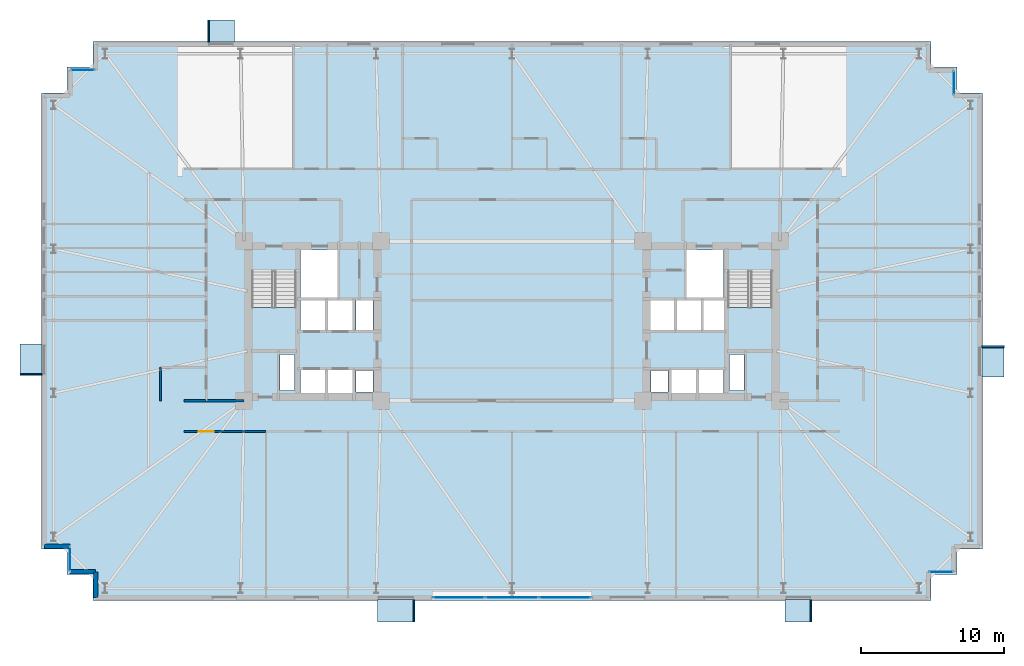
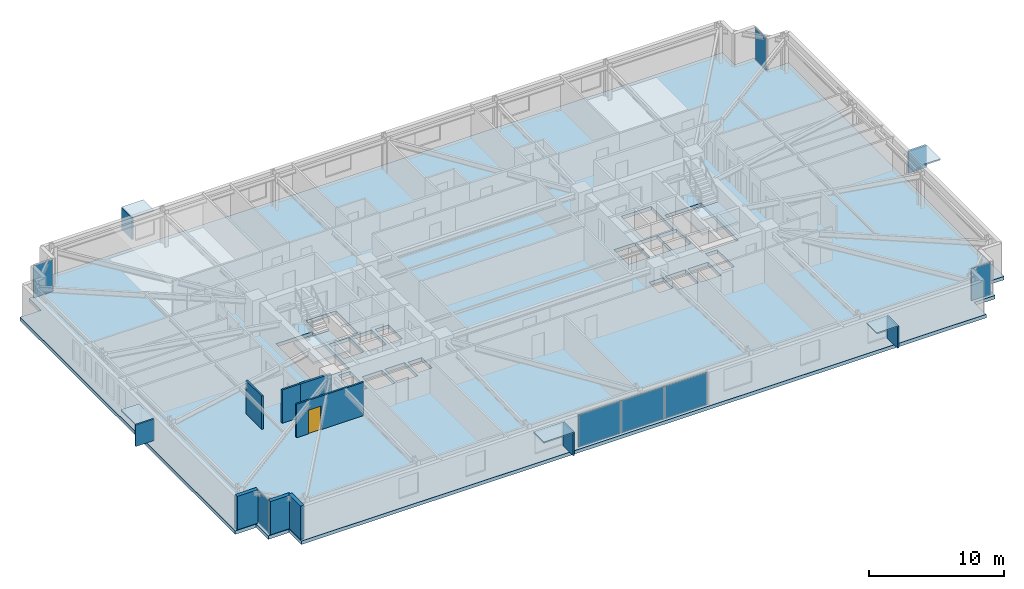
# One storey, part 17 of 26: 17 plates, 7 walls, 3 slabs, 1 door, 1 opening, 7 elements without a shape of their own.
"""IFC4 building model written with IfcOpenShell, lengths in metres."""

from ifc_helpers import new_model, si_unit, direction, frame, frame_2d, origin, origin_2d, place, context, subcontext, project, spatial, polyline, rectangle, outline, extrude, material, layer, layer_set, type_object, element, fill, aggregate, save


model = new_model("IFC4")

# Units and contexts
model_context = context("Model", 3, precision=1e-05, world=origin(), true_north=direction((0.0, 1.0)))
body_context = subcontext(model_context, "Body", "Model", "MODEL_VIEW")
ifc_project = project(units=[si_unit("LENGTHUNIT", "METRE"), si_unit("AREAUNIT", "SQUARE_METRE"), si_unit("VOLUMEUNIT", "CUBIC_METRE"), si_unit("PLANEANGLEUNIT", "RADIAN"), si_unit("MASSUNIT", "GRAM", prefix="KILO")], contexts=[model_context])

# Site, building, storey
site_placement = place(None, origin())
site = spatial("IfcSite", under=ifc_project, at=site_placement, CompositionType="ELEMENT")
building_placement = place(site_placement, origin())
building = spatial("IfcBuilding", under=site, at=building_placement, Name="Qobustan Lattice House", CompositionType="ELEMENT")
storey_placement = place(building_placement, frame((0.0, 0.0, 47.10009765625)))
storey = spatial("IfcBuildingStorey", under=building, at=storey_placement, Name="L12", CompositionType="ELEMENT", Elevation=47.10009765625)

# Curtain wall, plate
ifc_material_1 = material(Name="Anodised aluminium and low-E glazing", Category="aluminium")
ifc_layer_1 = layer(ifc_material_1, 0.219970703125)
ifc_layer_set_1 = layer_set([ifc_layer_1], Name="Anodised aluminium and low-E glazing")
curtain_wall_type_1 = type_object("IfcCurtainWallType", Name="CW-FAC-01", PredefinedType="USERDEFINED", material=ifc_layer_set_1)
curtain_wall_1_placement = place(storey_placement, origin())
curtain_wall_1 = element("IfcCurtainWall", 1, at=curtain_wall_1_placement, inside=storey, type_object=curtain_wall_type_1, Name="L12 serrated corner faceted glazing 3", ObjectType="CURTAIN WALL", PredefinedType="USERDEFINED")
ifc_material_2 = material(Name="Clear low-E laminated glass", Category="glass")
ifc_layer_2 = layer(ifc_material_2, 0.031982421875)
ifc_layer_set_2 = layer_set([ifc_layer_2], Name="Clear low-E laminated glass")
plate_type_1 = type_object("IfcPlateType", Name="CWP-VISION-32", PredefinedType="CURTAIN_PANEL", material=ifc_layer_set_2)
plate_1_placement = place(storey_placement, frame((-31.0, -16.699951171875, 0.06494140625), z_axis=(0.0, 0.0, 1.0), x_axis=(0.0, 1.0, 0.0)))
plate_1 = element("IfcPlate", 2, at=plate_1_placement, type_object=plate_type_1, Name="CW-F1 panel 1.1", PredefinedType="CURTAIN_PANEL", context=body_context, shape_type="SweptSolid", body=[
    extrude(rectangle(XDim=1.659912109375, YDim=0.031982421875, at=origin_2d()), origin(), (0.0, 0.0, 1.0), 2.905029296875),
])
aggregate(curtain_wall_1, [plate_1])

curtain_wall_2_placement = place(storey_placement, origin())
curtain_wall_2 = element("IfcCurtainWall", 3, at=curtain_wall_2_placement, inside=storey, type_object=curtain_wall_type_1, Name="L12 serrated corner faceted glazing 8", ObjectType="CURTAIN WALL", PredefinedType="USERDEFINED")
plate_2_placement = place(storey_placement, frame((-30.10009765625, 17.60009765625, 0.06494140625), z_axis=(0.0, 0.0, 1.0), x_axis=(1.0, 0.0, 0.0)))
plate_2 = element("IfcPlate", 4, at=plate_2_placement, type_object=plate_type_1, Name="CW-F1 panel 1.1", PredefinedType="CURTAIN_PANEL", context=body_context, shape_type="SweptSolid", body=[
    extrude(rectangle(XDim=1.659912109375, YDim=0.031982421875, at=origin_2d()), origin(), (0.0, 0.0, 1.0), 2.905029296875),
])
aggregate(curtain_wall_2, [plate_2])

curtain_wall_3_placement = place(storey_placement, origin())
curtain_wall_3 = element("IfcCurtainWall", 5, at=curtain_wall_3_placement, inside=storey, type_object=curtain_wall_type_1, Name="L12 serrated corner faceted glazing 13", ObjectType="CURTAIN WALL", PredefinedType="USERDEFINED")
plate_3_placement = place(storey_placement, frame((31.0, 16.699951171875, 0.06494140625), z_axis=(0.0, 0.0, 1.0), x_axis=(0.0, -1.0, 0.0)))
plate_3 = element("IfcPlate", 6, at=plate_3_placement, type_object=plate_type_1, Name="CW-F1 panel 1.1", PredefinedType="CURTAIN_PANEL", context=body_context, shape_type="SweptSolid", body=[
    extrude(rectangle(XDim=1.659912109375, YDim=0.031982421875, at=origin_2d()), origin(), (0.0, 0.0, 1.0), 2.905029296875),
])
aggregate(curtain_wall_3, [plate_3])

curtain_wall_4_placement = place(storey_placement, origin())
curtain_wall_4 = element("IfcCurtainWall", 7, at=curtain_wall_4_placement, inside=storey, type_object=curtain_wall_type_1, Name="L12 serrated corner faceted glazing 18", ObjectType="CURTAIN WALL", PredefinedType="USERDEFINED")
plate_4_placement = place(storey_placement, frame((30.10009765625, -17.60009765625, 0.06494140625), z_axis=(0.0, 0.0, 1.0), x_axis=(-1.0, 0.0, 0.0)))
plate_4 = element("IfcPlate", 8, at=plate_4_placement, type_object=plate_type_1, Name="CW-F1 panel 1.1", PredefinedType="CURTAIN_PANEL", context=body_context, shape_type="SweptSolid", body=[
    extrude(rectangle(XDim=1.659912109375, YDim=0.031982421875, at=origin_2d()), origin(), (0.0, 0.0, 1.0), 2.905029296875),
])
aggregate(curtain_wall_4, [plate_4])

# Curtain wall, plates
ifc_material_3 = material(Name="Anodised aluminium and low-E glazing", Category="aluminium")
ifc_layer_3 = layer(ifc_material_3, 0.219970703125)
ifc_layer_set_3 = layer_set([ifc_layer_3], Name="Anodised aluminium and low-E glazing")
curtain_wall_type_2 = type_object("IfcCurtainWallType", Name="CW-IWN-01", PredefinedType="USERDEFINED", material=ifc_layer_set_3)
curtain_wall_5_placement = place(storey_placement, origin())
curtain_wall_5 = element("IfcCurtainWall", 9, at=curtain_wall_5_placement, inside=storey, type_object=curtain_wall_type_2, Name="L12 IWAN-1 walnut-lined iwan curtain wall", ObjectType="CURTAIN WALL", PredefinedType="USERDEFINED")
plate_5_placement = place(storey_placement, frame((3.71337890625, -19.39990234375, 0.06494140625), z_axis=(0.0, 0.0, 1.0), x_axis=(-1.0, 0.0, 0.0)))
plate_5 = element("IfcPlate", 10, at=plate_5_placement, type_object=plate_type_1, Name="CW-IW panel 1.1", PredefinedType="CURTAIN_PANEL", context=body_context, shape_type="SweptSolid", body=[
    extrude(rectangle(XDim=3.61328125, YDim=0.031982421875, at=origin_2d()), origin(), (0.0, 0.0, 1.0), 2.905029296875),
])
plate_6_placement = place(storey_placement, frame((0.0, -19.39990234375, 0.06494140625), z_axis=(0.0, 0.0, 1.0), x_axis=(-1.0, 0.0, 0.0)))
plate_6 = element("IfcPlate", 11, at=plate_6_placement, type_object=plate_type_1, Name="CW-IW panel 2.1", PredefinedType="CURTAIN_PANEL", context=body_context, shape_type="SweptSolid", body=[
    extrude(rectangle(XDim=3.6533203125, YDim=0.031982421875, at=origin_2d()), origin(), (0.0, 0.0, 1.0), 2.905029296875),
])
plate_7_placement = place(storey_placement, frame((-3.71337890625, -19.39990234375, 0.06494140625), z_axis=(0.0, 0.0, 1.0), x_axis=(-1.0, 0.0, 0.0)))
plate_7 = element("IfcPlate", 12, at=plate_7_placement, type_object=plate_type_1, Name="CW-IW panel 3.1", PredefinedType="CURTAIN_PANEL", context=body_context, shape_type="SweptSolid", body=[
    extrude(rectangle(XDim=3.61328125, YDim=0.031982421875, at=origin_2d()), origin(), (0.0, 0.0, 1.0), 2.905029296875),
])
aggregate(curtain_wall_5, [plate_5, plate_6, plate_7])

# Plates
ifc_material_4 = material(Name="Qobustan limestone GFRC", Category="masonry")
ifc_layer_4 = layer(ifc_material_4, 0.1201171875)
ifc_layer_set_4 = layer_set([ifc_layer_4], Name="Qobustan limestone GFRC")
plate_type_2 = type_object("IfcPlateType", Name="SHD-HOOD-BROW", PredefinedType="USERDEFINED", material=ifc_layer_set_4)
plate_8_placement = place(storey_placement, frame((-33.72998046875, -2.719970703125, 2.699951171875), z_axis=(0.0, 0.0, 1.0), x_axis=(0.0, 1.0, 0.0)))
element("IfcPlate", 13, at=plate_8_placement, inside=storey, type_object=plate_type_2, Name="L12 splayed Qobustan stone hood brow", ObjectType="SUNSHADE", PredefinedType="USERDEFINED", context=body_context, shape_type="SweptSolid", body=[
    extrude(rectangle(XDim=2.18994140625, YDim=1.56005859375, at=origin_2d()), origin(), (0.0, 0.0, 1.0), 0.1201171875),
])
plate_9_placement = place(storey_placement, frame((-33.72998046875, -3.7548828125, 0.7900390625), z_axis=(0.0, 0.0, 1.0), x_axis=(0.0, 1.0, 0.0)))
element("IfcPlate", 14, at=plate_9_placement, inside=storey, type_object=plate_type_2, Name="L12 splayed Qobustan stone hood cheek", ObjectType="SUNSHADE", PredefinedType="USERDEFINED", context=body_context, shape_type="SweptSolid", body=[
    extrude(rectangle(XDim=0.1201171875, YDim=1.56005859375, at=origin_2d()), origin(), (0.0, 0.0, 1.0), 1.969970703125),
])
plate_10_placement = place(storey_placement, frame((-20.402587890625, 20.330078125, 2.699951171875), z_axis=(0.0, 0.0, 1.0), x_axis=(1.0, 0.0, 0.0)))
element("IfcPlate", 15, at=plate_10_placement, inside=storey, type_object=plate_type_2, Name="L12 splayed Qobustan stone hood brow", ObjectType="SUNSHADE", PredefinedType="USERDEFINED", context=body_context, shape_type="SweptSolid", body=[
    extrude(rectangle(XDim=1.889892578125, YDim=1.56005859375, at=origin_2d()), origin(), (0.0, 0.0, 1.0), 0.1201171875),
])
plate_11_placement = place(storey_placement, frame((-21.28759765625, 20.330078125, 0.7900390625), z_axis=(0.0, 0.0, 1.0), x_axis=(1.0, 0.0, 0.0)))
element("IfcPlate", 16, at=plate_11_placement, inside=storey, type_object=plate_type_2, Name="L12 splayed Qobustan stone hood cheek", ObjectType="SUNSHADE", PredefinedType="USERDEFINED", context=body_context, shape_type="SweptSolid", body=[
    extrude(rectangle(XDim=0.1201171875, YDim=1.56005859375, at=origin_2d()), origin(), (0.0, 0.0, 1.0), 1.969970703125),
])
plate_12_placement = place(storey_placement, frame((33.72998046875, -2.840087890625, 2.699951171875), z_axis=(0.0, 0.0, 1.0), x_axis=(0.0, -1.0, 0.0)))
element("IfcPlate", 17, at=plate_12_placement, inside=storey, type_object=plate_type_2, Name="L12 splayed Qobustan stone hood brow", ObjectType="SUNSHADE", PredefinedType="USERDEFINED", context=body_context, shape_type="SweptSolid", body=[
    extrude(rectangle(XDim=2.18994140625, YDim=1.56005859375, at=origin_2d()), origin(), (0.0, 0.0, 1.0), 0.1201171875),
])
plate_13_placement = place(storey_placement, frame((33.72998046875, -1.804931640625, 0.7900390625), z_axis=(0.0, 0.0, 1.0), x_axis=(0.0, -1.0, 0.0)))
element("IfcPlate", 18, at=plate_13_placement, inside=storey, type_object=plate_type_2, Name="L12 splayed Qobustan stone hood cheek", ObjectType="SUNSHADE", PredefinedType="USERDEFINED", context=body_context, shape_type="SweptSolid", body=[
    extrude(rectangle(XDim=0.1201171875, YDim=1.56005859375, at=origin_2d()), origin(), (0.0, 0.0, 1.0), 1.969970703125),
])
plate_14_placement = place(storey_placement, frame((20.080078125, -20.330078125, 2.699951171875), z_axis=(0.0, 0.0, 1.0), x_axis=(-1.0, 0.0, 0.0)))
element("IfcPlate", 19, at=plate_14_placement, inside=storey, type_object=plate_type_2, Name="L12 splayed Qobustan stone hood brow", ObjectType="SUNSHADE", PredefinedType="USERDEFINED", context=body_context, shape_type="SweptSolid", body=[
    extrude(rectangle(XDim=1.889892578125, YDim=1.56005859375, at=origin_2d()), origin(), (0.0, 0.0, 1.0), 0.1201171875),
])
plate_15_placement = place(storey_placement, frame((20.965087890625, -20.330078125, 0.7900390625), z_axis=(0.0, 0.0, 1.0), x_axis=(-1.0, 0.0, 0.0)))
element("IfcPlate", 20, at=plate_15_placement, inside=storey, type_object=plate_type_2, Name="L12 splayed Qobustan stone hood cheek", ObjectType="SUNSHADE", PredefinedType="USERDEFINED", context=body_context, shape_type="SweptSolid", body=[
    extrude(rectangle(XDim=0.1201171875, YDim=1.56005859375, at=origin_2d()), origin(), (0.0, 0.0, 1.0), 1.969970703125),
])
plate_16_placement = place(storey_placement, frame((-8.1298828125, -20.330078125, 2.7998046875), z_axis=(0.0, 0.0, 1.0), x_axis=(-1.0, 0.0, 0.0)))
element("IfcPlate", 21, at=plate_16_placement, inside=storey, type_object=plate_type_2, Name="L12 splayed Qobustan stone hood brow", ObjectType="SUNSHADE", PredefinedType="USERDEFINED", context=body_context, shape_type="SweptSolid", body=[
    extrude(rectangle(XDim=2.639892578125, YDim=1.56005859375, at=origin_2d()), origin(), (0.0, 0.0, 1.0), 0.1201171875),
])
plate_17_placement = place(storey_placement, frame((-6.8701171875, -20.330078125, 0.7900390625), z_axis=(0.0, 0.0, 1.0), x_axis=(-1.0, 0.0, 0.0)))
element("IfcPlate", 22, at=plate_17_placement, inside=storey, type_object=plate_type_2, Name="L12 splayed Qobustan stone hood cheek", ObjectType="SUNSHADE", PredefinedType="USERDEFINED", context=body_context, shape_type="SweptSolid", body=[
    extrude(rectangle(XDim=0.1201171875, YDim=1.56005859375, at=origin_2d()), origin(), (0.0, 0.0, 1.0), 2.070068359375),
])

# Slab
ifc_material_5 = material(Name="Concrete C40/50", Category="concrete")
ifc_layer_5 = layer(ifc_material_5, 0.31494140625)
ifc_layer_set_5 = layer_set([ifc_layer_5], Name="Concrete C40/50")
slab_type_1 = type_object("IfcSlabType", Name="SLB-FLR-315", PredefinedType="FLOOR", material=ifc_layer_set_5)
slab_1_placement = place(storey_placement, frame((0.0, 0.0, -0.315185546875)))
element("IfcSlab", 23, at=slab_1_placement, inside=storey, type_object=slab_type_1, Name="L12 structural floor slab", PredefinedType="FLOOR", context=body_context, shape_type="SweptSolid", body=[
    extrude(outline(polyline([(-29.39990234375, -19.60009765625), (29.39990234375, -19.60009765625), (29.39990234375, -17.800048828125), (31.199951171875, -17.800048828125), (31.199951171875, -16.0), (33.0, -16.0), (33.0, 16.0), (31.199951171875, 16.0), (31.199951171875, 17.800048828125), (29.39990234375, 17.800048828125), (29.39990234375, 19.60009765625), (-29.39990234375, 19.60009765625), (-29.39990234375, 17.800048828125), (-31.199951171875, 17.800048828125), (-31.199951171875, 16.0), (-33.0, 16.0), (-33.0, -16.0), (-31.199951171875, -16.0), (-31.199951171875, -17.800048828125), (-29.39990234375, -17.800048828125), (-29.39990234375, -19.60009765625)]), holes=[polyline([(-18.25, -2.050048828125), (-18.25, 3.489990234375), (-15.1298828125, 3.489990234375), (-15.1298828125, -2.050048828125), (-18.25, -2.050048828125)]), polyline([(15.1298828125, -2.050048828125), (15.1298828125, 3.489990234375), (18.25, 3.489990234375), (18.25, -2.050048828125), (15.1298828125, -2.050048828125)]), polyline([(-14.820068359375, 1.64990234375), (-14.820068359375, 4.9599609375), (-12.25, 4.9599609375), (-12.25, 1.64990234375), (-14.820068359375, 1.64990234375)]), polyline([(12.25, 1.64990234375), (12.25, 4.9599609375), (14.820068359375, 4.9599609375), (14.820068359375, 1.64990234375), (12.25, 1.64990234375)]), polyline([(-16.260009765625, -4.8798828125), (-16.260009765625, -2.360107421875), (-15.260009765625, -2.360107421875), (-15.260009765625, -4.8798828125), (-16.260009765625, -4.8798828125)]), polyline([(15.260009765625, -4.8798828125), (15.260009765625, -2.360107421875), (16.260009765625, -2.360107421875), (16.260009765625, -4.8798828125), (15.260009765625, -4.8798828125)]), polyline([(-14.85009765625, -5.35009765625), (-14.85009765625, -3.419921875), (-13.1201171875, -3.419921875), (-13.1201171875, -5.35009765625), (-14.85009765625, -5.35009765625)]), polyline([(-12.919921875, -5.35009765625), (-12.919921875, -3.419921875), (-11.179931640625, -3.419921875), (-11.179931640625, -5.35009765625), (-12.919921875, -5.35009765625)]), polyline([(-14.85009765625, -0.679931640625), (-14.85009765625, 1.47998046875), (-13.1201171875, 1.47998046875), (-13.1201171875, -0.679931640625), (-14.85009765625, -0.679931640625)]), polyline([(-12.919921875, -0.679931640625), (-12.919921875, 1.47998046875), (-11.179931640625, 1.47998046875), (-11.179931640625, -0.679931640625), (-12.919921875, -0.679931640625)]), polyline([(-10.93994140625, -5.0), (-10.93994140625, -3.47998046875), (-9.760009765625, -3.47998046875), (-9.760009765625, -5.0), (-10.93994140625, -5.0)]), polyline([(-10.93994140625, -0.6201171875), (-10.93994140625, 1.419921875), (-9.760009765625, 1.419921875), (-9.760009765625, -0.6201171875), (-10.93994140625, -0.6201171875)]), polyline([(11.179931640625, -5.35009765625), (11.179931640625, -3.419921875), (12.919921875, -3.419921875), (12.919921875, -5.35009765625), (11.179931640625, -5.35009765625)]), polyline([(13.1201171875, -5.35009765625), (13.1201171875, -3.419921875), (14.85009765625, -3.419921875), (14.85009765625, -5.35009765625), (13.1201171875, -5.35009765625)]), polyline([(9.760009765625, -5.0), (9.760009765625, -3.47998046875), (10.93994140625, -3.47998046875), (10.93994140625, -5.0), (9.760009765625, -5.0)]), polyline([(13.360107421875, -0.679931640625), (13.360107421875, 1.47998046875), (14.97998046875, 1.47998046875), (14.97998046875, -0.679931640625), (13.360107421875, -0.679931640625)]), polyline([(9.6201171875, -0.679931640625), (9.6201171875, 1.47998046875), (11.43994140625, 1.47998046875), (11.43994140625, -0.679931640625), (9.6201171875, -0.679931640625)]), polyline([(11.5, -0.679931640625), (11.5, 1.47998046875), (13.320068359375, 1.47998046875), (13.320068359375, -0.679931640625), (11.5, -0.679931640625)])]), origin(), (0.0, 0.0, 1.0), 0.315185546875),
])

# Stair, slab
ifc_material_6 = material(Name="Concrete C40/50", Category="concrete")
stair_type = type_object("IfcStairType", Name="STR-CORE-DOGLEG", PredefinedType="HALF_TURN_STAIR", material=ifc_material_6)
stair_1_placement = place(storey_placement, origin())
stair_1 = element("IfcStair", 24, at=stair_1_placement, inside=storey, type_object=stair_type, Name="L12 West protected exit stair ST-W1", PredefinedType="HALF_TURN_STAIR")
ifc_material_7 = material(Name="Concrete C40/50", Category="concrete")
ifc_layer_6 = layer(ifc_material_7, 0.199951171875)
ifc_layer_set_6 = layer_set([ifc_layer_6], Name="Concrete C40/50")
slab_type_2 = type_object("IfcSlabType", Name="SLB-LANDING-200", PredefinedType="LANDING", material=ifc_layer_set_6)
slab_2_placement = place(storey_placement, frame((0.0, 0.0, 1.474853515625)))
slab_2 = element("IfcSlab", 25, at=slab_2_placement, type_object=slab_type_2, Name="ST-W1 landing 1", PredefinedType="LANDING", context=body_context, shape_type="SweptSolid", body=[
    extrude(outline(polyline([(-18.25, 0.93505859375), (-18.25, -2.050048828125), (-15.1298828125, -2.050048828125), (-15.1298828125, 0.93505859375), (-18.25, 0.93505859375)])), origin(), (0.0, 0.0, 1.0), 0.199951171875),
])
aggregate(stair_1, [slab_2])

stair_2_placement = place(storey_placement, origin())
stair_2 = element("IfcStair", 26, at=stair_2_placement, inside=storey, type_object=stair_type, Name="L12 East protected exit stair ST-E1", PredefinedType="HALF_TURN_STAIR")
slab_3_placement = place(storey_placement, frame((0.0, 0.0, 1.474853515625)))
slab_3 = element("IfcSlab", 27, at=slab_3_placement, type_object=slab_type_2, Name="ST-E1 landing 1", PredefinedType="LANDING", context=body_context, shape_type="SweptSolid", body=[
    extrude(outline(polyline([(15.1298828125, 0.93505859375), (15.1298828125, -2.050048828125), (18.25, -2.050048828125), (18.25, 0.93505859375), (15.1298828125, 0.93505859375)])), origin(), (0.0, 0.0, 1.0), 0.199951171875),
])
aggregate(stair_2, [slab_3])

# Walls
ifc_material_8 = material(Name="Precast concrete C40/50", Category="concrete")
ifc_layer_7 = layer(ifc_material_8, 0.320068359375)
ifc_layer_set_7 = layer_set([ifc_layer_7], Name="Precast concrete C40/50")
wall_type_1 = type_object("IfcWallType", Name="WAL-EXT-STONE-320", PredefinedType="SOLIDWALL", material=ifc_layer_set_7)
wall_1_placement = place(storey_placement, frame((-29.199951171875, -19.39990234375, 0.0), z_axis=(0.0, 0.0, 1.0), x_axis=(0.0, 1.0, 0.0)))
element("IfcWall", 28, at=wall_1_placement, inside=storey, type_object=wall_type_1, Name="L12 exterior limestone-clad wall 1", PredefinedType="SOLIDWALL", context=body_context, shape_type="SweptSolid", body=[
    extrude(rectangle(XDim=1.7998046875, YDim=0.320068359375, at=frame_2d((0.89990234375, 0.0))), origin(), (0.0, 0.0, 1.0), 3.034912109375),
])
for number, where, z_axis, x_axis, name in (
    (29, (-29.199951171875, -17.60009765625, 0.0), (0.0, 0.0, 1.0), (-1.0, 0.0, 0.0), "L12 exterior limestone-clad wall 2"),
    (30, (-31.0, -15.800048828125, 0.0), (0.0, 0.0, 1.0), (-1.0, 0.0, 0.0), "L12 exterior limestone-clad wall 4"),
):
    element("IfcWall", number, at=place(storey_placement, frame(where, z_axis=z_axis, x_axis=x_axis)), inside=storey, type_object=wall_type_1, Name=name, PredefinedType="SOLIDWALL", context=body_context, shape_type="SweptSolid", body=[
        extrude(rectangle(XDim=1.800048828125, YDim=0.320068359375, at=frame_2d((0.89990234375, 0.0))), origin(), (0.0, 0.0, 1.0), 3.034912109375),
    ])
ifc_material_9 = material(Name="Gypsum fireboard acoustic partition", Category="gypsum")
ifc_layer_8 = layer(ifc_material_9, 0.179931640625)
ifc_layer_set_8 = layer_set([ifc_layer_8], Name="Gypsum fireboard acoustic partition")
wall_type_2 = type_object("IfcWallType", Name="WAL-FIRE-180", PredefinedType="PARTITIONING", material=ifc_layer_set_8)
wall_2_placement = place(storey_placement, frame((-21.449951171875, -5.60009765625, 0.0), z_axis=(0.0, 0.0, 1.0), x_axis=(1.0, 0.0, 0.0)))
element("IfcWall", 31, at=wall_2_placement, inside=storey, type_object=wall_type_2, Name="L12 interior partition 54", PredefinedType="PARTITIONING", context=body_context, shape_type="SweptSolid", body=[
    extrude(rectangle(XDim=2.64990234375, YDim=0.179931640625, at=frame_2d((1.324951171875, 0.0))), origin(), (0.0, 0.0, 1.0), 3.034912109375),
])

# Wall, opening, door
ifc_material_10 = material(Name="Acoustic twin-stud gypsum partition", Category="gypsum")
ifc_layer_9 = layer(ifc_material_10, 0.14990234375)
ifc_layer_set_9 = layer_set([ifc_layer_9], Name="Acoustic twin-stud gypsum partition")
wall_type_3 = type_object("IfcWallType", Name="WAL-PART-150", PredefinedType="PARTITIONING", material=ifc_layer_set_9)
wall_3_placement = place(storey_placement, frame((-17.25, -7.75, 0.0), z_axis=(0.0, 0.0, 1.0), x_axis=(-1.0, 0.0, 0.0)))
wall_3 = element("IfcWall", 32, at=wall_3_placement, inside=storey, type_object=wall_type_3, Name="L12 interior partition 56", PredefinedType="PARTITIONING", context=body_context, shape_type="SweptSolid", body=[
    extrude(rectangle(XDim=5.75, YDim=0.14990234375, at=frame_2d((2.875, 0.0))), origin(), (0.0, 0.0, 1.0), 3.034912109375),
])
opening_placement = place(wall_3_placement, frame((3.677490234375, 0.0, 0.0)))
opening = element("IfcOpeningElement", 33, at=opening_placement, cuts=wall_3, Name="Opening ID-02", PredefinedType="OPENING", context=body_context, shape_type="SweptSolid", body=[
    extrude(rectangle(XDim=1.050048828125, YDim=2.14990234375, at=frame_2d((0.52490234375, 1.074951171875))), frame((0.0, 0.0849609375, 0.0), z_axis=(0.0, -1.0, 0.0), x_axis=(1.0, 0.0, 0.0)), (0.0, 0.0, 1.0), 0.169921875),
])
ifc_material_11 = material(Name="Persian walnut timber and steel frame door", Category="steel")
door_type = type_object("IfcDoorType", Name="DOR-STUDY-1050x2150", OperationType="NOTDEFINED", PredefinedType="DOOR", material=ifc_material_11)
door_placement = place(opening_placement, origin())
door = element("IfcDoor", 34, at=door_placement, inside=storey, type_object=door_type, Name="L12 South-west floor corridor to Focus study room S1A door", OperationType="SINGLE_SWING_RIGHT", OverallHeight=2.14990234375, OverallWidth=1.050048828125, PredefinedType="DOOR", context=body_context, shape_type="SweptSolid", body=[
    extrude(rectangle(XDim=1.050048828125, YDim=2.14990234375, at=frame_2d((0.52490234375, 1.074951171875))), frame((0.0, 0.02490234375, 0.0), z_axis=(0.0, -1.0, 0.0), x_axis=(1.0, 0.0, 0.0)), (0.0, 0.0, 1.0), 0.050048828125),
])
fill(opening, door)

# Walls
ifc_material_12 = material(Name="Moisture-resistant acoustic plumbing wall", Category="gypsum")
ifc_layer_10 = layer(ifc_material_12, 0.14990234375)
ifc_layer_set_10 = layer_set([ifc_layer_10], Name="Moisture-resistant acoustic plumbing wall")
wall_type_4 = type_object("IfcWallType", Name="WAL-WET-150", PredefinedType="PLUMBINGWALL", material=ifc_layer_set_10)
wall_4_placement = place(storey_placement, frame((-23.0, -5.60009765625, 0.0), z_axis=(0.0, 0.0, 1.0), x_axis=(1.0, 0.0, 0.0)))
element("IfcWall", 35, at=wall_4_placement, inside=storey, type_object=wall_type_4, Name="L12 interior partition 55", PredefinedType="PLUMBINGWALL", context=body_context, shape_type="SweptSolid", body=[
    extrude(rectangle(XDim=1.550048828125, YDim=0.14990234375, at=frame_2d((0.77490234375, 0.0))), origin(), (0.0, 0.0, 1.0), 3.034912109375),
])
wall_5_placement = place(storey_placement, frame((-24.64990234375, -5.60009765625, 0.0), z_axis=(0.0, 0.0, 1.0), x_axis=(0.0, 1.0, 0.0)))
element("IfcWall", 36, at=wall_5_placement, inside=storey, type_object=wall_type_4, Name="L12 interior partition 78", PredefinedType="PLUMBINGWALL", context=body_context, shape_type="SweptSolid", body=[
    extrude(rectangle(XDim=2.35009765625, YDim=0.14990234375, at=frame_2d((1.175048828125, 0.0))), origin(), (0.0, 0.0, 1.0), 3.034912109375),
])

save(model, "model.ifc")
